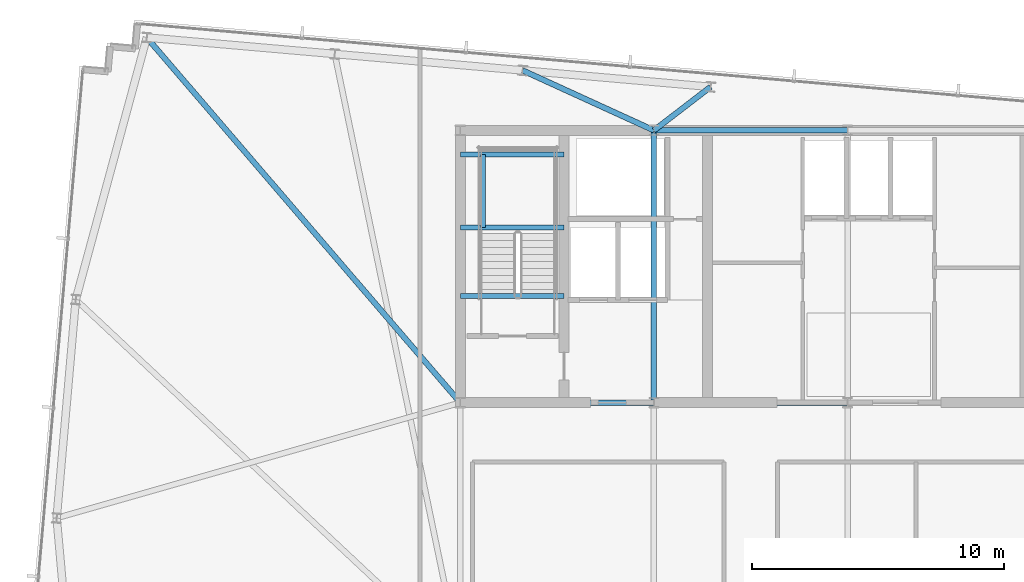
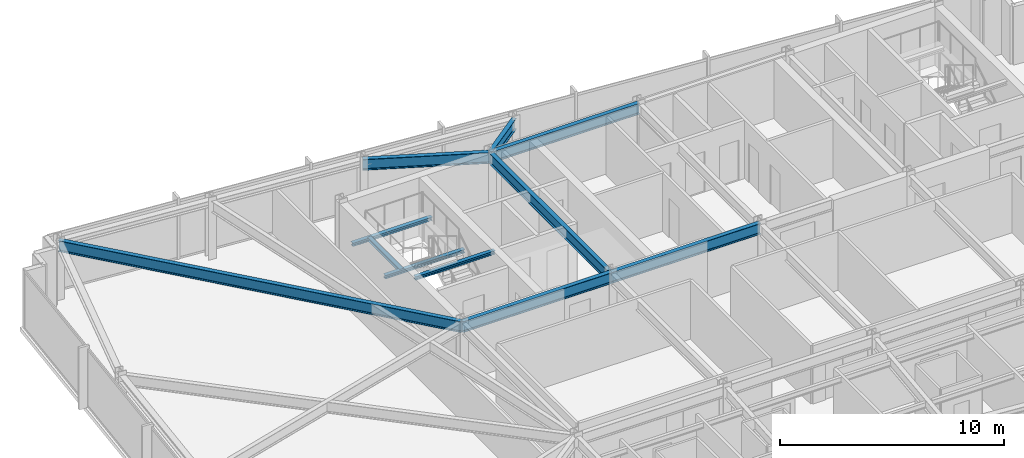
# One storey, part 12 of 33: 11 beams.
"""IFC4 building model written with IfcOpenShell, lengths in metres."""

from ifc_helpers import new_model, si_unit, direction, frame, origin, origin_2d, place, context, subcontext, project, spatial, i_section, extrude, material, material_profile, profile_set, type_object, element, save


model = new_model("IFC4")

# Units and contexts
model_context = context("Model", 3, precision=1e-05, world=origin(), true_north=direction((0.0, 1.0)))
body_context = subcontext(model_context, "Body", "Model", "MODEL_VIEW")
ifc_project = project(units=[si_unit("LENGTHUNIT", "METRE"), si_unit("AREAUNIT", "SQUARE_METRE"), si_unit("VOLUMEUNIT", "CUBIC_METRE"), si_unit("PLANEANGLEUNIT", "RADIAN"), si_unit("MASSUNIT", "GRAM", prefix="KILO")], contexts=[model_context])

# Site, building, storey
site_placement = place(None, origin())
site = spatial("IfcSite", under=ifc_project, at=site_placement, CompositionType="ELEMENT")
building_placement = place(site_placement, origin())
building = spatial("IfcBuilding", under=site, at=building_placement, Name="Yelkora Congress Tower", CompositionType="ELEMENT")
storey_placement = place(building_placement, frame((0.0, 0.0, 282.89990234375)))
storey = spatial("IfcBuildingStorey", under=building, at=storey_placement, Name="L79", CompositionType="ELEMENT", Elevation=282.89990234375)

# Beams
ifc_material = material(Name="Steel S355J2", Category="steel")
ifc_material_profile_1 = material_profile(ifc_material, i_section(OverallWidth=0.219970703125, OverallDepth=0.60009765625, WebThickness=0.011962890625, FlangeThickness=0.01904296875, FilletRadius=0.02392578125, at=origin_2d()), Name="IPE 600")
ifc_profile_set_1 = profile_set([ifc_material_profile_1], Name="Steel S355J2")
beam_type_1 = type_object("IfcBeamType", Name="BM-GIRD-IPE600", PredefinedType="BEAM", material=ifc_profile_set_1)
for number, where, z_axis, x_axis, name in (
    (1, (30.719970703125, 46.199951171875, 2.880126953125), (1.0, 0.0, 0.0), (0.0, 1.0, 0.0), "L79 Core North Girder 2"),
    (2, (23.0400390625, 35.39990234375, 2.880126953125), (1.0, 0.0, 0.0), (0.0, 1.0, 0.0), "L79 Core South Girder 1"),
    (3, (30.719970703125, 35.39990234375, 2.880126953125), (1.0, 0.0, 0.0), (0.0, 1.0, 0.0), "L79 Core South Girder 2"),
):
    element("IfcBeam", number, at=place(storey_placement, frame(where, z_axis=z_axis, x_axis=x_axis)), inside=storey, type_object=beam_type_1, Name=name, PredefinedType="BEAM", context=body_context, shape_type="SweptSolid", body=[
        extrude(i_section(OverallWidth=0.219970703125, OverallDepth=0.60009765625, WebThickness=0.011962890625, FlangeThickness=0.01904296875, FilletRadius=0.02392578125, at=origin_2d()), origin(), (0.0, 0.0, 1.0), 7.679931640625),
    ])
beam_1_placement = place(storey_placement, frame((30.719970703125, 35.39990234375, 2.880126953125), z_axis=(0.0, 1.0, 0.0), x_axis=(-1.0, 0.0, 0.0)))
element("IfcBeam", 4, at=beam_1_placement, inside=storey, type_object=beam_type_1, Name="L79 Core Tie Girder MC-S2", PredefinedType="BEAM", context=body_context, shape_type="SweptSolid", body=[
    extrude(i_section(OverallWidth=0.219970703125, OverallDepth=0.60009765625, WebThickness=0.011962890625, FlangeThickness=0.01904296875, FilletRadius=0.02392578125, at=origin_2d()), origin(), (0.0, 0.0, 1.0), 10.800048828125),
])
beam_2_placement = place(storey_placement, frame((10.60400390625, 49.884033203125, 2.880126953125), z_axis=(0.651427266579, -0.758711088859, 0.0), x_axis=(0.758711088859, 0.651427266579, 0.0)))
element("IfcBeam", 5, at=beam_2_placement, inside=storey, type_object=beam_type_1, Name="L79 Primary Frame Girder N01", PredefinedType="BEAM", context=body_context, shape_type="SweptSolid", body=[
    extrude(i_section(OverallWidth=0.219970703125, OverallDepth=0.60009765625, WebThickness=0.011962890625, FlangeThickness=0.01904296875, FilletRadius=0.02392578125, at=origin_2d()), origin(), (0.0, 0.0, 1.0), 19.09033203125),
])
beam_3_placement = place(storey_placement, frame((25.513916015625, 48.57958984375, 2.880126953125), z_axis=(0.909492445228, -0.415720449429, 0.0), x_axis=(0.415720449429, 0.909492445228, 0.0)))
element("IfcBeam", 6, at=beam_3_placement, inside=storey, type_object=beam_type_1, Name="L79 Primary Frame Girder N03", PredefinedType="BEAM", context=body_context, shape_type="SweptSolid", body=[
    extrude(i_section(OverallWidth=0.219970703125, OverallDepth=0.60009765625, WebThickness=0.011962890625, FlangeThickness=0.01904296875, FilletRadius=0.02392578125, at=origin_2d()), origin(), (0.0, 0.0, 1.0), 5.72412109375),
])
beam_4_placement = place(storey_placement, frame((32.968505859375, 47.927490234375, 2.880126953125), z_axis=(-0.792982335977, -0.609244626425, 0.0), x_axis=(0.609244626425, -0.792982335977, 0.0)))
element("IfcBeam", 7, at=beam_4_placement, inside=storey, type_object=beam_type_1, Name="L79 Primary Frame Girder N04", PredefinedType="BEAM", context=body_context, shape_type="SweptSolid", body=[
    extrude(i_section(OverallWidth=0.219970703125, OverallDepth=0.60009765625, WebThickness=0.011962890625, FlangeThickness=0.01904296875, FilletRadius=0.02392578125, at=origin_2d()), origin(), (0.0, 0.0, 1.0), 2.83544921875),
])
ifc_material_profile_2 = material_profile(ifc_material, i_section(OverallWidth=0.199951171875, OverallDepth=0.18994140625, WebThickness=0.006591796875, FlangeThickness=0.010009765625, FilletRadius=0.01806640625, at=origin_2d()), Name="HEA 200")
ifc_profile_set_2 = profile_set([ifc_material_profile_2], Name="Steel S355J2")
beam_type_2 = type_object("IfcBeamType", Name="BM-LAND-HEA200", PredefinedType="BEAM", material=ifc_profile_set_2)
for number, where, z_axis, x_axis, name in (
    (8, (23.0400390625, 42.340087890625, 1.384765625), (1.0, 0.0, 0.0), (0.0, 1.0, 0.0), "ST-01 L79 Landing Header Beam 1S"),
    (9, (23.0400390625, 45.25, 1.384765625), (1.0, 0.0, 0.0), (0.0, 1.0, 0.0), "ST-01 L79 Landing Header Beam 1N"),
):
    element("IfcBeam", number, at=place(storey_placement, frame(where, z_axis=z_axis, x_axis=x_axis)), inside=storey, type_object=beam_type_2, Name=name, PredefinedType="BEAM", context=body_context, shape_type="SweptSolid", body=[
        extrude(i_section(OverallWidth=0.199951171875, OverallDepth=0.18994140625, WebThickness=0.006591796875, FlangeThickness=0.010009765625, FilletRadius=0.01806640625, at=origin_2d()), origin(), (0.0, 0.0, 1.0), 4.10986328125),
    ])
beam_5_placement = place(storey_placement, frame((23.93994140625, 42.340087890625, 1.384765625), z_axis=(0.0, 1.0, 0.0), x_axis=(-1.0, 0.0, 0.0)))
element("IfcBeam", 10, at=beam_5_placement, inside=storey, type_object=beam_type_2, Name="ST-01 L79 Landing Trimmer Beam 1M", PredefinedType="BEAM", context=body_context, shape_type="SweptSolid", body=[
    extrude(i_section(OverallWidth=0.199951171875, OverallDepth=0.18994140625, WebThickness=0.006591796875, FlangeThickness=0.010009765625, FilletRadius=0.01806640625, at=origin_2d()), origin(), (0.0, 0.0, 1.0), 2.909912109375),
])
beam_6_placement = place(storey_placement, frame((23.0400390625, 39.639892578125, 2.947509765625), z_axis=(1.0, 0.0, 0.0), x_axis=(0.0, 1.0, 0.0)))
element("IfcBeam", 11, at=beam_6_placement, inside=storey, type_object=beam_type_2, Name="ST-01 L79 Floor Arrival Stringer Header Beam", PredefinedType="BEAM", context=body_context, shape_type="SweptSolid", body=[
    extrude(i_section(OverallWidth=0.199951171875, OverallDepth=0.18994140625, WebThickness=0.006591796875, FlangeThickness=0.010009765625, FilletRadius=0.01806640625, at=origin_2d()), origin(), (0.0, 0.0, 1.0), 4.10986328125),
])

save(model, "model.ifc")
